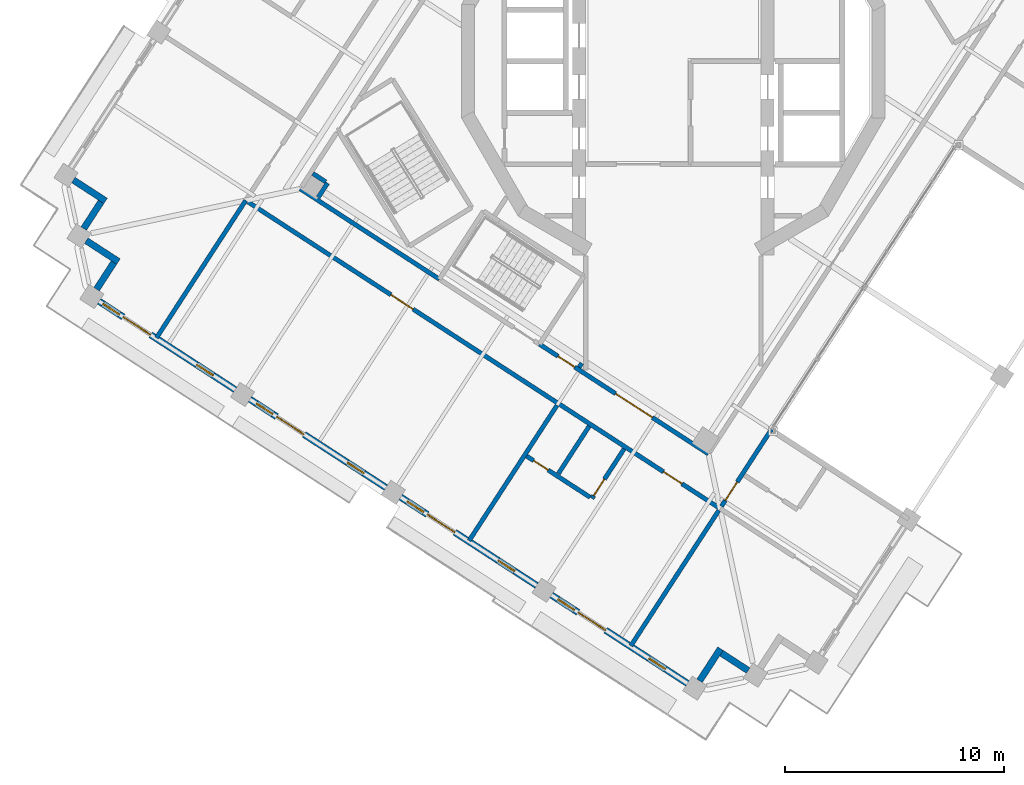
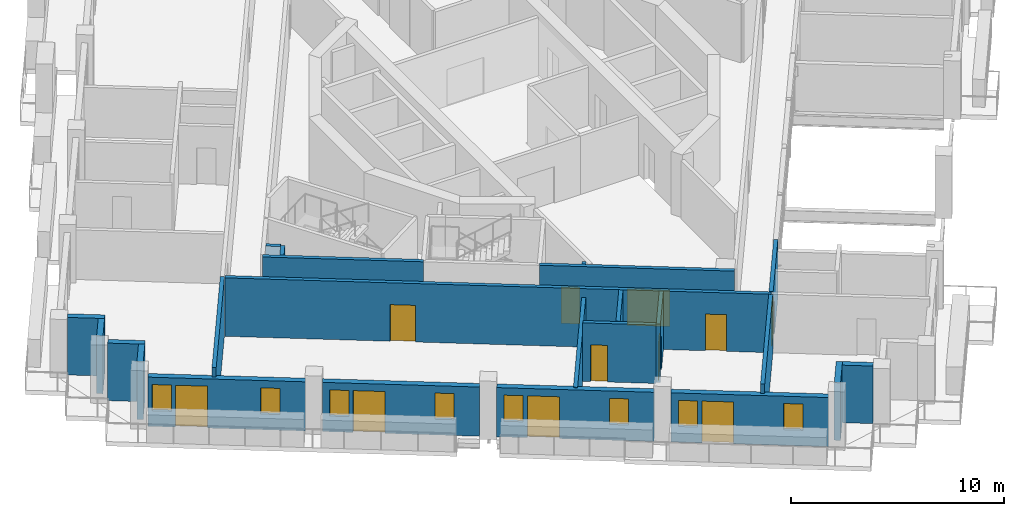
# One storey, part 5 of 17: 23 walls, 11 doors, 8 windows, 19 openings.
"""IFC4 building model written with IfcOpenShell, lengths in metres."""

from ifc_helpers import new_model, si_unit, direction, frame, frame_2d, origin, place, context, subcontext, project, spatial, rectangle, extrude, material, layer, layer_set, type_object, element, fill, save


model = new_model("IFC4")

# Units and contexts
model_context = context("Model", 3, precision=1e-05, world=origin(), true_north=direction((0.0, 1.0)))
body_context = subcontext(model_context, "Body", "Model", "MODEL_VIEW")
ifc_project = project(units=[si_unit("LENGTHUNIT", "METRE"), si_unit("AREAUNIT", "SQUARE_METRE"), si_unit("VOLUMEUNIT", "CUBIC_METRE"), si_unit("PLANEANGLEUNIT", "RADIAN"), si_unit("MASSUNIT", "GRAM", prefix="KILO")], contexts=[model_context])

# Site, building, storey
site_placement = place(None, origin())
site = spatial("IfcSite", under=ifc_project, at=site_placement, CompositionType="ELEMENT")
building_placement = place(site_placement, origin())
building = spatial("IfcBuilding", under=site, at=building_placement, Name="Cantera Rosa Tower", CompositionType="ELEMENT")
storey_placement = place(building_placement, frame((0.0, 0.0, 257.699951171875)))
storey = spatial("IfcBuildingStorey", under=building, at=storey_placement, Name="L57", CompositionType="ELEMENT", Elevation=257.699951171875)

# Wall, openings, doors
ifc_material_1 = material(Name="Gypsum board partition")
ifc_layer_1 = layer(ifc_material_1, 0.199951171875)
ifc_layer_set_1 = layer_set([ifc_layer_1], Name="CORRIDOR WALL 200 H3350")
wall_type_1 = type_object("IfcWallType", Name="CORRIDOR WALL 200 H3350", PredefinedType="PARTITIONING", material=ifc_layer_set_1)
wall_1_placement = place(storey_placement, frame((-19.4052734375, -6.416259765625, 0.0), z_axis=(0.0, 0.0, 1.0), x_axis=(0.83867117695, -0.544638097229, 0.0)))
wall_1 = element("IfcWall", 1, at=wall_1_placement, inside=storey, type_object=wall_type_1, Name="CORRIDOR WALL L57-002", PredefinedType="PARTITIONING", context=body_context, shape_type="SweptSolid", body=[
    extrude(rectangle(XDim=25.679931640625, YDim=0.199951171875, at=frame_2d((12.83984375, 0.0))), origin(), (0.0, 0.0, 1.0), 3.35009765625),
])
opening_1_placement = place(wall_1_placement, frame((7.780029296875, 0.0, 0.0)))
opening_1 = element("IfcOpeningElement", 2, at=opening_1_placement, cuts=wall_1, Name="Opening L57-037", PredefinedType="OPENING", context=body_context, shape_type="SweptSolid", body=[
    extrude(rectangle(XDim=1.199951171875, YDim=2.10009765625, at=frame_2d((0.60009765625, 1.050048828125))), frame((0.0, 0.10986328125, 0.0), z_axis=(0.0, -1.0, 0.0), x_axis=(1.0, 0.0, 0.0)), (0.0, 0.0, 1.0), 0.219970703125),
])
opening_2_placement = place(wall_1_placement, frame((22.60498046875, 0.0, 0.0)))
opening_2 = element("IfcOpeningElement", 3, at=opening_2_placement, cuts=wall_1, Name="Opening L57-038", PredefinedType="OPENING", context=body_context, shape_type="SweptSolid", body=[
    extrude(rectangle(XDim=1.0, YDim=2.10009765625, at=frame_2d((0.5, 1.050048828125))), frame((0.0, 0.10986328125, 0.0), z_axis=(0.0, -1.0, 0.0), x_axis=(1.0, 0.0, 0.0)), (0.0, 0.0, 1.0), 0.219970703125),
])
ifc_material_2 = material(Name="Timber door leaf", Category="wood")
door_type_1 = type_object("IfcDoorType", Name="ENTRANCE DOOR 1000x2100", OperationType="NOTDEFINED", PredefinedType="DOOR", material=ifc_material_2)
door_1_placement = place(opening_2_placement, origin())
door_1 = element("IfcDoor", 4, at=door_1_placement, inside=storey, type_object=door_type_1, Name="DOOR L57-038", OperationType="NOTDEFINED", OverallHeight=2.10009765625, OverallWidth=1.0, PredefinedType="DOOR", context=body_context, shape_type="SweptSolid", body=[
    extrude(rectangle(XDim=1.0, YDim=2.10009765625, at=frame_2d((0.5, 1.050048828125))), frame((0.0, 0.02490234375, 0.0), z_axis=(0.0, -1.0, 0.0), x_axis=(1.0, 0.0, 0.0)), (0.0, 0.0, 1.0), 0.050048828125),
])
fill(opening_2, door_1)
ifc_material_3 = material(Name="Timber door leaf", Category="wood")
door_type_2 = type_object("IfcDoorType", Name="ROOM DOOR 1200x2100", OperationType="NOTDEFINED", PredefinedType="DOOR", material=ifc_material_3)
door_2_placement = place(opening_1_placement, origin())
door_2 = element("IfcDoor", 5, at=door_2_placement, inside=storey, type_object=door_type_2, Name="DOOR L57-037", OperationType="NOTDEFINED", OverallHeight=2.10009765625, OverallWidth=1.199951171875, PredefinedType="DOOR", context=body_context, shape_type="SweptSolid", body=[
    extrude(rectangle(XDim=1.199951171875, YDim=2.10009765625, at=frame_2d((0.60009765625, 1.050048828125))), frame((0.0, 0.02490234375, 0.0), z_axis=(0.0, -1.0, 0.0), x_axis=(1.0, 0.0, 0.0)), (0.0, 0.0, 1.0), 0.050048828125),
])
fill(opening_1, door_2)

# Wall
wall_2_placement = place(storey_placement, frame((-17.015869140625, -5.82177734375, 0.0), z_axis=(0.0, 0.0, 1.0), x_axis=(0.838672854678, -0.544635513739, 0.0)))
element("IfcWall", 6, at=wall_2_placement, inside=storey, type_object=wall_type_1, Name="CORRIDOR WALL L57-005", PredefinedType="PARTITIONING", context=body_context, shape_type="SweptSolid", body=[
    extrude(rectangle(XDim=7.56494140625, YDim=0.199951171875, at=frame_2d((3.782470703125, 0.0))), origin(), (0.0, 0.0, 1.0), 3.35009765625),
])

# Wall, openings, doors
wall_3_placement = place(storey_placement, frame((-6.1005859375, -12.91015625, 0.0), z_axis=(0.0, 0.0, 1.0), x_axis=(0.838671883824, -0.544637008734, 0.0)))
wall_3 = element("IfcWall", 7, at=wall_3_placement, inside=storey, type_object=wall_type_1, Name="CORRIDOR WALL L57-031", PredefinedType="PARTITIONING", context=body_context, shape_type="SweptSolid", body=[
    extrude(rectangle(XDim=9.184814453125, YDim=0.199951171875, at=frame_2d((4.59228515625, 0.0))), origin(), (0.0, 0.0, 1.0), 3.35009765625),
])
opening_3_placement = place(wall_3_placement, frame((1.009521484375, 0.0, 0.0)))
opening_3 = element("IfcOpeningElement", 8, at=opening_3_placement, cuts=wall_3, Name="Opening L57-005", PredefinedType="OPENING", context=body_context, shape_type="SweptSolid", body=[
    extrude(rectangle(XDim=0.89990234375, YDim=2.10009765625, at=frame_2d((0.449951171875, 1.050048828125))), frame((0.0, 0.10986328125, 0.0), z_axis=(0.0, -1.0, 0.0), x_axis=(1.0, 0.0, 0.0)), (0.0, 0.0, 1.0), 0.219970703125),
])
opening_4_placement = place(wall_3_placement, frame((4.135009765625, 0.0, 0.0)))
opening_4 = element("IfcOpeningElement", 9, at=opening_4_placement, cuts=wall_3, Name="Opening L57-010", PredefinedType="OPENING", context=body_context, shape_type="SweptSolid", body=[
    extrude(rectangle(XDim=2.0, YDim=2.10009765625, at=frame_2d((1.0, 1.050048828125))), frame((0.0, 0.10986328125, 0.0), z_axis=(0.0, -1.0, 0.0), x_axis=(1.0, 0.0, 0.0)), (0.0, 0.0, 1.0), 0.219970703125),
])
ifc_material_4 = material(Name="Steel S355J2 (EN 10025-2)", Category="steel")
door_type_3 = type_object("IfcDoorType", Name="LOBBY SCREEN DOOR 2000x2100", OperationType="NOTDEFINED", PredefinedType="DOOR", material=ifc_material_4)
door_3_placement = place(opening_4_placement, origin())
door_3 = element("IfcDoor", 10, at=door_3_placement, inside=storey, type_object=door_type_3, Name="DOOR L57-010", OperationType="NOTDEFINED", OverallHeight=2.10009765625, OverallWidth=2.0, PredefinedType="DOOR", context=body_context, shape_type="SweptSolid", body=[
    extrude(rectangle(XDim=2.0, YDim=2.10009765625, at=frame_2d((1.0, 1.050048828125))), frame((0.0, 0.02490234375, 0.0), z_axis=(0.0, -1.0, 0.0), x_axis=(1.0, 0.0, 0.0)), (0.0, 0.0, 1.0), 0.050048828125),
])
fill(opening_4, door_3)
ifc_material_5 = material(Name="Timber door leaf", Category="wood")
door_type_4 = type_object("IfcDoorType", Name="SERVICE DOOR 900x2100", OperationType="NOTDEFINED", PredefinedType="DOOR", material=ifc_material_5)
door_4_placement = place(opening_3_placement, origin())
door_4 = element("IfcDoor", 11, at=door_4_placement, inside=storey, type_object=door_type_4, Name="DOOR L57-005", OperationType="NOTDEFINED", OverallHeight=2.10009765625, OverallWidth=0.89990234375, PredefinedType="DOOR", context=body_context, shape_type="SweptSolid", body=[
    extrude(rectangle(XDim=0.89990234375, YDim=2.10009765625, at=frame_2d((0.449951171875, 1.050048828125))), frame((0.0, 0.02490234375, 0.0), z_axis=(0.0, -1.0, 0.0), x_axis=(1.0, 0.0, 0.0)), (0.0, 0.0, 1.0), 0.050048828125),
])
fill(opening_3, door_4)

# Wall, opening, door
wall_4_placement = place(storey_placement, frame((2.197265625, -20.302001953125, 0.0), z_axis=(0.0, 0.0, 1.0), x_axis=(0.544627823196, 0.83867784888, 0.0)))
wall_4 = element("IfcWall", 12, at=wall_4_placement, inside=storey, type_object=wall_type_1, Name="CORRIDOR WALL L57-059", PredefinedType="PARTITIONING", context=body_context, shape_type="SweptSolid", body=[
    extrude(rectangle(XDim=4.284912109375, YDim=0.199951171875, at=frame_2d((2.142578125, 0.0))), origin(), (0.0, 0.0, 1.0), 3.35009765625),
])
opening_5_placement = place(wall_4_placement, frame((0.320068359375, 0.0, 0.0)))
opening_5 = element("IfcOpeningElement", 13, at=opening_5_placement, cuts=wall_4, Name="Opening L57-043", PredefinedType="OPENING", context=body_context, shape_type="SweptSolid", body=[
    extrude(rectangle(XDim=1.0, YDim=2.10009765625, at=frame_2d((0.5, 1.050048828125))), frame((0.0, 0.10986328125, 0.0), z_axis=(0.0, -1.0, 0.0), x_axis=(1.0, 0.0, 0.0)), (0.0, 0.0, 1.0), 0.219970703125),
])
door_5_placement = place(opening_5_placement, origin())
door_5 = element("IfcDoor", 14, at=door_5_placement, inside=storey, type_object=door_type_1, Name="DOOR L57-043", OperationType="NOTDEFINED", OverallHeight=2.10009765625, OverallWidth=1.0, PredefinedType="DOOR", context=body_context, shape_type="SweptSolid", body=[
    extrude(rectangle(XDim=1.0, YDim=2.10009765625, at=frame_2d((0.5, 1.050048828125))), frame((0.0, 0.02490234375, 0.0), z_axis=(0.0, -1.0, 0.0), x_axis=(1.0, 0.0, 0.0)), (0.0, 0.0, 1.0), 0.050048828125),
])
fill(opening_5, door_5)

# Walls
ifc_material_6 = material(Name="Hollow clay masonry with cantera stone cladding", Category="masonry")
ifc_layer_2 = layer(ifc_material_6, 0.300048828125)
ifc_layer_set_2 = layer_set([ifc_layer_2], Name="EW-LOGGIA 300")
wall_type_2 = type_object("IfcWallType", Name="EW-LOGGIA 300", PredefinedType="SOLIDWALL", material=ifc_layer_set_2)
wall_5_placement = place(storey_placement, frame((-27.36669921875, -5.41943359375, 0.0), z_axis=(0.0, 0.0, 1.0), x_axis=(0.838685761837, -0.54461563776, 0.0)))
element("IfcWall", 15, at=wall_5_placement, inside=storey, type_object=wall_type_2, Name="EN-L57-W12a", PredefinedType="SOLIDWALL", context=body_context, shape_type="SweptSolid", body=[
    extrude(rectangle(XDim=1.75, YDim=0.300048828125, at=frame_2d((0.875, 0.0))), origin(), (0.0, 0.0, 1.0), 3.300048828125),
])
wall_6_placement = place(storey_placement, frame((-26.1064453125, -6.41650390625, 0.0), z_axis=(0.0, 0.0, 1.0), x_axis=(-0.54467465438, -0.838647435384, 0.0)))
element("IfcWall", 16, at=wall_6_placement, inside=storey, type_object=wall_type_2, Name="EN-L57-W12b", PredefinedType="SOLIDWALL", context=body_context, shape_type="SweptSolid", body=[
    extrude(rectangle(XDim=1.449951171875, YDim=0.300048828125, at=frame_2d((0.72509765625, 0.0))), origin(), (0.0, 0.0, 1.0), 3.300048828125),
])
wall_7_placement = place(storey_placement, frame((-26.778564453125, -8.18603515625, 0.0), z_axis=(0.0, 0.0, 1.0), x_axis=(0.838685761837, -0.54461563776, 0.0)))
element("IfcWall", 17, at=wall_7_placement, inside=storey, type_object=wall_type_2, Name="EN-L57-W13a", PredefinedType="SOLIDWALL", context=body_context, shape_type="SweptSolid", body=[
    extrude(rectangle(XDim=1.75, YDim=0.300048828125, at=frame_2d((0.875, 0.0))), origin(), (0.0, 0.0, 1.0), 3.300048828125),
])
wall_8_placement = place(storey_placement, frame((-25.518310546875, -9.18310546875, 0.0), z_axis=(0.0, 0.0, 1.0), x_axis=(-0.54467465438, -0.838647435384, 0.0)))
element("IfcWall", 18, at=wall_8_placement, inside=storey, type_object=wall_type_2, Name="EN-L57-W13b", PredefinedType="SOLIDWALL", context=body_context, shape_type="SweptSolid", body=[
    extrude(rectangle(XDim=1.449951171875, YDim=0.300048828125, at=frame_2d((0.72509765625, 0.0))), origin(), (0.0, 0.0, 1.0), 3.300048828125),
])
wall_9_placement = place(storey_placement, frame((1.2001953125, -28.263427734375, 0.0), z_axis=(0.0, 0.0, 1.0), x_axis=(0.54461563776, 0.838685761837, 0.0)))
element("IfcWall", 19, at=wall_9_placement, inside=storey, type_object=wall_type_2, Name="EN-L57-W18a", PredefinedType="SOLIDWALL", context=body_context, shape_type="SweptSolid", body=[
    extrude(rectangle(XDim=1.75, YDim=0.300048828125, at=frame_2d((0.875, 0.0))), origin(), (0.0, 0.0, 1.0), 3.300048828125),
])
wall_10_placement = place(storey_placement, frame((2.197509765625, -27.003173828125, 0.0), z_axis=(0.0, 0.0, 1.0), x_axis=(0.838647435384, -0.54467465438, 0.0)))
element("IfcWall", 20, at=wall_10_placement, inside=storey, type_object=wall_type_2, Name="EN-L57-W18b", PredefinedType="SOLIDWALL", context=body_context, shape_type="SweptSolid", body=[
    extrude(rectangle(XDim=1.449951171875, YDim=0.300048828125, at=frame_2d((0.72509765625, 0.0))), origin(), (0.0, 0.0, 1.0), 3.300048828125),
])

# Wall, openings, windows, door
ifc_material_7 = material(Name="Hollow clay masonry with cantera stone cladding", Category="masonry")
ifc_layer_3 = layer(ifc_material_7, 0.300048828125)
ifc_layer_set_3 = layer_set([ifc_layer_3], Name="EW-LOGGIA 300 H2820")
wall_type_3 = type_object("IfcWallType", Name="EW-LOGGIA 300 H2820", PredefinedType="SOLIDWALL", material=ifc_layer_set_3)
wall_11_placement = place(storey_placement, frame((-26.1904296875, -10.95263671875, 0.0), z_axis=(0.0, 0.0, 1.0), x_axis=(0.838669679097, -0.544640403719, 0.0)))
wall_11 = element("IfcWall", 21, at=wall_11_placement, inside=storey, type_object=wall_type_3, Name="EN-L57-W14", PredefinedType="SOLIDWALL", context=body_context, shape_type="SweptSolid", body=[
    extrude(rectangle(XDim=7.39990234375, YDim=0.300048828125, at=frame_2d((3.699951171875, 0.0))), origin(), (0.0, 0.0, 1.0), 2.820068359375),
])
opening_6_placement = place(wall_11_placement, frame((0.199951171875, 0.0, 0.89990234375)))
opening_6 = element("IfcOpeningElement", 22, at=opening_6_placement, cuts=wall_11, Name="Opening L57-W28", PredefinedType="OPENING", context=body_context, shape_type="SweptSolid", body=[
    extrude(rectangle(XDim=0.89990234375, YDim=1.5, at=frame_2d((0.449951171875, 0.75))), frame((0.0, 0.159912109375, 0.0), z_axis=(0.0, -1.0, 0.0), x_axis=(1.0, 0.0, 0.0)), (0.0, 0.0, 1.0), 0.320068359375),
])
opening_7_placement = place(wall_11_placement, frame((1.300048828125, 0.0, 0.0)))
opening_7 = element("IfcOpeningElement", 23, at=opening_7_placement, cuts=wall_11, Name="Opening L57-TD29", PredefinedType="OPENING", context=body_context, shape_type="SweptSolid", body=[
    extrude(rectangle(XDim=1.5, YDim=2.39990234375, at=frame_2d((0.75, 1.199951171875))), frame((0.0, 0.159912109375, 0.0), z_axis=(0.0, -1.0, 0.0), x_axis=(1.0, 0.0, 0.0)), (0.0, 0.0, 1.0), 0.320068359375),
])
opening_8_placement = place(wall_11_placement, frame((5.300048828125, 0.0, 0.89990234375)))
opening_8 = element("IfcOpeningElement", 24, at=opening_8_placement, cuts=wall_11, Name="Opening L57-W30", PredefinedType="OPENING", context=body_context, shape_type="SweptSolid", body=[
    extrude(rectangle(XDim=0.89990234375, YDim=1.5, at=frame_2d((0.449951171875, 0.75))), frame((0.0, 0.159912109375, 0.0), z_axis=(0.0, -1.0, 0.0), x_axis=(1.0, 0.0, 0.0)), (0.0, 0.0, 1.0), 0.320068359375),
])
ifc_material_8 = material(Name="Aluminium frame with clear glass", Category="aluminium")
window_type = type_object("IfcWindowType", Name="Residential window 900x1500", PartitioningType="SINGLE_PANEL", PredefinedType="WINDOW", material=ifc_material_8)
window_1_placement = place(opening_6_placement, origin())
window_1 = element("IfcWindow", 25, at=window_1_placement, inside=storey, type_object=window_type, Name="WINDOW L57-W28", OverallHeight=1.5, OverallWidth=0.89990234375, PartitioningType="SINGLE_PANEL", PredefinedType="WINDOW", context=body_context, shape_type="SweptSolid", body=[
    extrude(rectangle(XDim=0.89990234375, YDim=1.5, at=frame_2d((0.449951171875, 0.75))), frame((0.0, 0.030029296875, 0.0), z_axis=(0.0, -1.0, 0.0), x_axis=(1.0, 0.0, 0.0)), (0.0, 0.0, 1.0), 0.06005859375),
])
fill(opening_6, window_1)
window_2_placement = place(opening_8_placement, origin())
window_2 = element("IfcWindow", 26, at=window_2_placement, inside=storey, type_object=window_type, Name="WINDOW L57-W30", OverallHeight=1.5, OverallWidth=0.89990234375, PartitioningType="SINGLE_PANEL", PredefinedType="WINDOW", context=body_context, shape_type="SweptSolid", body=[
    extrude(rectangle(XDim=0.89990234375, YDim=1.5, at=frame_2d((0.449951171875, 0.75))), frame((0.0, 0.030029296875, 0.0), z_axis=(0.0, -1.0, 0.0), x_axis=(1.0, 0.0, 0.0)), (0.0, 0.0, 1.0), 0.06005859375),
])
fill(opening_8, window_2)
ifc_material_9 = material(Name="Aluminium frame with clear glass", Category="aluminium")
door_type_5 = type_object("IfcDoorType", Name="TD-R 1500x2400", OperationType="NOTDEFINED", PredefinedType="DOOR", material=ifc_material_9)
door_6_placement = place(opening_7_placement, origin())
door_6 = element("IfcDoor", 27, at=door_6_placement, inside=storey, type_object=door_type_5, Name="LOGGIA DOOR L57-TD29", OperationType="SLIDING_TO_LEFT", OverallHeight=2.39990234375, OverallWidth=1.5, PredefinedType="DOOR", context=body_context, shape_type="SweptSolid", body=[
    extrude(rectangle(XDim=1.5, YDim=2.39990234375, at=frame_2d((0.75, 1.199951171875))), frame((0.0, 0.02490234375, 0.0), z_axis=(0.0, -1.0, 0.0), x_axis=(1.0, 0.0, 0.0)), (0.0, 0.0, 1.0), 0.050048828125),
])
fill(opening_7, door_6)

wall_12_placement = place(storey_placement, frame((-19.3134765625, -15.418701171875, 0.0), z_axis=(0.0, 0.0, 1.0), x_axis=(0.838679465365, -0.544625333946, 0.0)))
wall_12 = element("IfcWall", 28, at=wall_12_placement, inside=storey, type_object=wall_type_3, Name="EN-L57-W15", PredefinedType="SOLIDWALL", context=body_context, shape_type="SweptSolid", body=[
    extrude(rectangle(XDim=7.400146484375, YDim=0.300048828125, at=frame_2d((3.7001953125, 0.0))), origin(), (0.0, 0.0, 1.0), 2.820068359375),
])
opening_9_placement = place(wall_12_placement, frame((0.35009765625, 0.0, 0.89990234375)))
opening_9 = element("IfcOpeningElement", 29, at=opening_9_placement, cuts=wall_12, Name="Opening L57-W31", PredefinedType="OPENING", context=body_context, shape_type="SweptSolid", body=[
    extrude(rectangle(XDim=0.89990234375, YDim=1.5, at=frame_2d((0.449951171875, 0.75))), frame((0.0, 0.159912109375, 0.0), z_axis=(0.0, -1.0, 0.0), x_axis=(1.0, 0.0, 0.0)), (0.0, 0.0, 1.0), 0.320068359375),
])
opening_10_placement = place(wall_12_placement, frame((1.449951171875, 0.0, 0.0)))
opening_10 = element("IfcOpeningElement", 30, at=opening_10_placement, cuts=wall_12, Name="Opening L57-TD32", PredefinedType="OPENING", context=body_context, shape_type="SweptSolid", body=[
    extrude(rectangle(XDim=1.5, YDim=2.39990234375, at=frame_2d((0.75, 1.199951171875))), frame((0.0, 0.159912109375, 0.0), z_axis=(0.0, -1.0, 0.0), x_axis=(1.0, 0.0, 0.0)), (0.0, 0.0, 1.0), 0.320068359375),
])
opening_11_placement = place(wall_12_placement, frame((5.300048828125, 0.0, 0.89990234375)))
opening_11 = element("IfcOpeningElement", 31, at=opening_11_placement, cuts=wall_12, Name="Opening L57-W33", PredefinedType="OPENING", context=body_context, shape_type="SweptSolid", body=[
    extrude(rectangle(XDim=0.89990234375, YDim=1.5, at=frame_2d((0.449951171875, 0.75))), frame((0.0, 0.159912109375, 0.0), z_axis=(0.0, -1.0, 0.0), x_axis=(1.0, 0.0, 0.0)), (0.0, 0.0, 1.0), 0.320068359375),
])
window_3_placement = place(opening_9_placement, origin())
window_3 = element("IfcWindow", 32, at=window_3_placement, inside=storey, type_object=window_type, Name="WINDOW L57-W31", OverallHeight=1.5, OverallWidth=0.89990234375, PartitioningType="SINGLE_PANEL", PredefinedType="WINDOW", context=body_context, shape_type="SweptSolid", body=[
    extrude(rectangle(XDim=0.89990234375, YDim=1.5, at=frame_2d((0.449951171875, 0.75))), frame((0.0, 0.030029296875, 0.0), z_axis=(0.0, -1.0, 0.0), x_axis=(1.0, 0.0, 0.0)), (0.0, 0.0, 1.0), 0.06005859375),
])
fill(opening_9, window_3)
window_4_placement = place(opening_11_placement, origin())
window_4 = element("IfcWindow", 33, at=window_4_placement, inside=storey, type_object=window_type, Name="WINDOW L57-W33", OverallHeight=1.5, OverallWidth=0.89990234375, PartitioningType="SINGLE_PANEL", PredefinedType="WINDOW", context=body_context, shape_type="SweptSolid", body=[
    extrude(rectangle(XDim=0.89990234375, YDim=1.5, at=frame_2d((0.449951171875, 0.75))), frame((0.0, 0.030029296875, 0.0), z_axis=(0.0, -1.0, 0.0), x_axis=(1.0, 0.0, 0.0)), (0.0, 0.0, 1.0), 0.06005859375),
])
fill(opening_11, window_4)
door_7_placement = place(opening_10_placement, origin())
door_7 = element("IfcDoor", 34, at=door_7_placement, inside=storey, type_object=door_type_5, Name="LOGGIA DOOR L57-TD32", OperationType="SLIDING_TO_LEFT", OverallHeight=2.39990234375, OverallWidth=1.5, PredefinedType="DOOR", context=body_context, shape_type="SweptSolid", body=[
    extrude(rectangle(XDim=1.5, YDim=2.39990234375, at=frame_2d((0.75, 1.199951171875))), frame((0.0, 0.02490234375, 0.0), z_axis=(0.0, -1.0, 0.0), x_axis=(1.0, 0.0, 0.0)), (0.0, 0.0, 1.0), 0.050048828125),
])
fill(opening_10, door_7)

wall_13_placement = place(storey_placement, frame((-12.436279296875, -19.884765625, 0.0), z_axis=(0.0, 0.0, 1.0), x_axis=(0.838669679097, -0.544640403719, 0.0)))
wall_13 = element("IfcWall", 35, at=wall_13_placement, inside=storey, type_object=wall_type_3, Name="EN-L57-W16", PredefinedType="SOLIDWALL", context=body_context, shape_type="SweptSolid", body=[
    extrude(rectangle(XDim=7.39990234375, YDim=0.300048828125, at=frame_2d((3.699951171875, 0.0))), origin(), (0.0, 0.0, 1.0), 2.820068359375),
])
opening_12_placement = place(wall_13_placement, frame((0.35009765625, 0.0, 0.89990234375)))
opening_12 = element("IfcOpeningElement", 36, at=opening_12_placement, cuts=wall_13, Name="Opening L57-W34", PredefinedType="OPENING", context=body_context, shape_type="SweptSolid", body=[
    extrude(rectangle(XDim=0.89990234375, YDim=1.5, at=frame_2d((0.449951171875, 0.75))), frame((0.0, 0.159912109375, 0.0), z_axis=(0.0, -1.0, 0.0), x_axis=(1.0, 0.0, 0.0)), (0.0, 0.0, 1.0), 0.320068359375),
])
opening_13_placement = place(wall_13_placement, frame((1.449951171875, 0.0, 0.0)))
opening_13 = element("IfcOpeningElement", 37, at=opening_13_placement, cuts=wall_13, Name="Opening L57-TD35", PredefinedType="OPENING", context=body_context, shape_type="SweptSolid", body=[
    extrude(rectangle(XDim=1.5, YDim=2.39990234375, at=frame_2d((0.75, 1.199951171875))), frame((0.0, 0.159912109375, 0.0), z_axis=(0.0, -1.0, 0.0), x_axis=(1.0, 0.0, 0.0)), (0.0, 0.0, 1.0), 0.320068359375),
])
opening_14_placement = place(wall_13_placement, frame((5.300048828125, 0.0, 0.89990234375)))
opening_14 = element("IfcOpeningElement", 38, at=opening_14_placement, cuts=wall_13, Name="Opening L57-W36", PredefinedType="OPENING", context=body_context, shape_type="SweptSolid", body=[
    extrude(rectangle(XDim=0.89990234375, YDim=1.5, at=frame_2d((0.449951171875, 0.75))), frame((0.0, 0.159912109375, 0.0), z_axis=(0.0, -1.0, 0.0), x_axis=(1.0, 0.0, 0.0)), (0.0, 0.0, 1.0), 0.320068359375),
])
window_5_placement = place(opening_12_placement, origin())
window_5 = element("IfcWindow", 39, at=window_5_placement, inside=storey, type_object=window_type, Name="WINDOW L57-W34", OverallHeight=1.5, OverallWidth=0.89990234375, PartitioningType="SINGLE_PANEL", PredefinedType="WINDOW", context=body_context, shape_type="SweptSolid", body=[
    extrude(rectangle(XDim=0.89990234375, YDim=1.5, at=frame_2d((0.449951171875, 0.75))), frame((0.0, 0.030029296875, 0.0), z_axis=(0.0, -1.0, 0.0), x_axis=(1.0, 0.0, 0.0)), (0.0, 0.0, 1.0), 0.06005859375),
])
fill(opening_12, window_5)
window_6_placement = place(opening_14_placement, origin())
window_6 = element("IfcWindow", 40, at=window_6_placement, inside=storey, type_object=window_type, Name="WINDOW L57-W36", OverallHeight=1.5, OverallWidth=0.89990234375, PartitioningType="SINGLE_PANEL", PredefinedType="WINDOW", context=body_context, shape_type="SweptSolid", body=[
    extrude(rectangle(XDim=0.89990234375, YDim=1.5, at=frame_2d((0.449951171875, 0.75))), frame((0.0, 0.030029296875, 0.0), z_axis=(0.0, -1.0, 0.0), x_axis=(1.0, 0.0, 0.0)), (0.0, 0.0, 1.0), 0.06005859375),
])
fill(opening_14, window_6)
door_8_placement = place(opening_13_placement, origin())
door_8 = element("IfcDoor", 41, at=door_8_placement, inside=storey, type_object=door_type_5, Name="LOGGIA DOOR L57-TD35", OperationType="SLIDING_TO_LEFT", OverallHeight=2.39990234375, OverallWidth=1.5, PredefinedType="DOOR", context=body_context, shape_type="SweptSolid", body=[
    extrude(rectangle(XDim=1.5, YDim=2.39990234375, at=frame_2d((0.75, 1.199951171875))), frame((0.0, 0.02490234375, 0.0), z_axis=(0.0, -1.0, 0.0), x_axis=(1.0, 0.0, 0.0)), (0.0, 0.0, 1.0), 0.050048828125),
])
fill(opening_13, door_8)

wall_14_placement = place(storey_placement, frame((-5.559326171875, -24.350830078125, 0.0), z_axis=(0.0, 0.0, 1.0), x_axis=(0.838679465365, -0.544625333946, 0.0)))
wall_14 = element("IfcWall", 42, at=wall_14_placement, inside=storey, type_object=wall_type_3, Name="EN-L57-W17", PredefinedType="SOLIDWALL", context=body_context, shape_type="SweptSolid", body=[
    extrude(rectangle(XDim=7.400146484375, YDim=0.300048828125, at=frame_2d((3.7001953125, 0.0))), origin(), (0.0, 0.0, 1.0), 2.820068359375),
])
opening_15_placement = place(wall_14_placement, frame((0.35009765625, 0.0, 0.89990234375)))
opening_15 = element("IfcOpeningElement", 43, at=opening_15_placement, cuts=wall_14, Name="Opening L57-W37", PredefinedType="OPENING", context=body_context, shape_type="SweptSolid", body=[
    extrude(rectangle(XDim=0.89990234375, YDim=1.5, at=frame_2d((0.449951171875, 0.75))), frame((0.0, 0.159912109375, 0.0), z_axis=(0.0, -1.0, 0.0), x_axis=(1.0, 0.0, 0.0)), (0.0, 0.0, 1.0), 0.320068359375),
])
opening_16_placement = place(wall_14_placement, frame((1.449951171875, 0.0, 0.0)))
opening_16 = element("IfcOpeningElement", 44, at=opening_16_placement, cuts=wall_14, Name="Opening L57-TD38", PredefinedType="OPENING", context=body_context, shape_type="SweptSolid", body=[
    extrude(rectangle(XDim=1.5, YDim=2.39990234375, at=frame_2d((0.75, 1.199951171875))), frame((0.0, 0.159912109375, 0.0), z_axis=(0.0, -1.0, 0.0), x_axis=(1.0, 0.0, 0.0)), (0.0, 0.0, 1.0), 0.320068359375),
])
opening_17_placement = place(wall_14_placement, frame((5.300048828125, 0.0, 0.89990234375)))
opening_17 = element("IfcOpeningElement", 45, at=opening_17_placement, cuts=wall_14, Name="Opening L57-W39", PredefinedType="OPENING", context=body_context, shape_type="SweptSolid", body=[
    extrude(rectangle(XDim=0.89990234375, YDim=1.5, at=frame_2d((0.449951171875, 0.75))), frame((0.0, 0.159912109375, 0.0), z_axis=(0.0, -1.0, 0.0), x_axis=(1.0, 0.0, 0.0)), (0.0, 0.0, 1.0), 0.320068359375),
])
window_7_placement = place(opening_15_placement, origin())
window_7 = element("IfcWindow", 46, at=window_7_placement, inside=storey, type_object=window_type, Name="WINDOW L57-W37", OverallHeight=1.5, OverallWidth=0.89990234375, PartitioningType="SINGLE_PANEL", PredefinedType="WINDOW", context=body_context, shape_type="SweptSolid", body=[
    extrude(rectangle(XDim=0.89990234375, YDim=1.5, at=frame_2d((0.449951171875, 0.75))), frame((0.0, 0.030029296875, 0.0), z_axis=(0.0, -1.0, 0.0), x_axis=(1.0, 0.0, 0.0)), (0.0, 0.0, 1.0), 0.06005859375),
])
fill(opening_15, window_7)
window_8_placement = place(opening_17_placement, origin())
window_8 = element("IfcWindow", 47, at=window_8_placement, inside=storey, type_object=window_type, Name="WINDOW L57-W39", OverallHeight=1.5, OverallWidth=0.89990234375, PartitioningType="SINGLE_PANEL", PredefinedType="WINDOW", context=body_context, shape_type="SweptSolid", body=[
    extrude(rectangle(XDim=0.89990234375, YDim=1.5, at=frame_2d((0.449951171875, 0.75))), frame((0.0, 0.030029296875, 0.0), z_axis=(0.0, -1.0, 0.0), x_axis=(1.0, 0.0, 0.0)), (0.0, 0.0, 1.0), 0.06005859375),
])
fill(opening_17, window_8)
door_9_placement = place(opening_16_placement, origin())
door_9 = element("IfcDoor", 48, at=door_9_placement, inside=storey, type_object=door_type_5, Name="LOGGIA DOOR L57-TD38", OperationType="SLIDING_TO_LEFT", OverallHeight=2.39990234375, OverallWidth=1.5, PredefinedType="DOOR", context=body_context, shape_type="SweptSolid", body=[
    extrude(rectangle(XDim=1.5, YDim=2.39990234375, at=frame_2d((0.75, 1.199951171875))), frame((0.0, 0.02490234375, 0.0), z_axis=(0.0, -1.0, 0.0), x_axis=(1.0, 0.0, 0.0)), (0.0, 0.0, 1.0), 0.050048828125),
])
fill(opening_16, door_9)

# Walls
ifc_material_10 = material(Name="Gypsum board partition")
ifc_layer_4 = layer(ifc_material_10, 0.199951171875)
ifc_layer_set_4 = layer_set([ifc_layer_4], Name="PARTITION 200 H3350")
wall_type_4 = type_object("IfcWallType", Name="PARTITION 200 H3350", PredefinedType="PARTITIONING", material=ifc_layer_set_4)
wall_15_placement = place(storey_placement, frame((-19.505859375, -6.35107421875, 0.0), z_axis=(0.0, 0.0, 1.0), x_axis=(-0.544643659397, -0.838667564818, 0.0)))
element("IfcWall", 49, at=wall_15_placement, inside=storey, type_object=wall_type_4, Name="PARTITION L57-001", PredefinedType="PARTITIONING", context=body_context, shape_type="SweptSolid", body=[
    extrude(rectangle(XDim=7.4697265625, YDim=0.199951171875, at=frame_2d((3.73486328125, 0.0))), origin(), (0.0, 0.0, 1.0), 3.35009765625),
])
wall_16_placement = place(storey_placement, frame((-16.19580078125, -6.211181640625, 0.0), z_axis=(0.0, 0.0, 1.0), x_axis=(0.544691230082, 0.838636669764, 0.0)))
element("IfcWall", 50, at=wall_16_placement, inside=storey, type_object=wall_type_4, Name="PARTITION L57-006", PredefinedType="PARTITIONING", context=body_context, shape_type="SweptSolid", body=[
    extrude(rectangle(XDim=0.77978515625, YDim=0.199951171875, at=frame_2d((0.389892578125, 0.0))), origin(), (0.0, 0.0, 1.0), 3.35009765625),
])
wall_17_placement = place(storey_placement, frame((-15.854736328125, -5.502685546875, 0.0), z_axis=(0.0, 0.0, 1.0), x_axis=(-0.838642734471, 0.544681892409, 0.0)))
element("IfcWall", 51, at=wall_17_placement, inside=storey, type_object=wall_type_4, Name="PARTITION L57-007", PredefinedType="PARTITIONING", context=body_context, shape_type="SweptSolid", body=[
    extrude(rectangle(XDim=0.7001953125, YDim=0.199951171875, at=frame_2d((0.35009765625, 0.0))), origin(), (0.0, 0.0, 1.0), 3.35009765625),
])
wall_18_placement = place(storey_placement, frame((-4.17431640625, -13.772216796875, 0.0), z_axis=(0.0, 0.0, 1.0), x_axis=(-0.544950419994, -0.838468269971, 0.0)))
element("IfcWall", 52, at=wall_18_placement, inside=storey, type_object=wall_type_4, Name="PARTITION L57-040", PredefinedType="PARTITIONING", context=body_context, shape_type="SweptSolid", body=[
    extrude(rectangle(XDim=0.226318359375, YDim=0.199951171875, at=frame_2d((0.11328125, 0.0))), origin(), (0.0, 0.0, 1.0), 3.35009765625),
])
wall_19_placement = place(storey_placement, frame((-3.835205078125, -16.646728515625, 0.0), z_axis=(0.0, 0.0, 1.0), x_axis=(-0.544659035015, -0.838657579454, 0.0)))
element("IfcWall", 53, at=wall_19_placement, inside=storey, type_object=wall_type_4, Name="PARTITION L57-043", PredefinedType="PARTITIONING", context=body_context, shape_type="SweptSolid", body=[
    extrude(rectangle(XDim=2.580078125, YDim=0.199951171875, at=frame_2d((1.2900390625, 0.0))), origin(), (0.0, 0.0, 1.0), 3.35009765625),
])

# Wall, opening, door
wall_20_placement = place(storey_placement, frame((-3.796142578125, -19.8916015625, 0.0), z_axis=(0.0, 0.0, 1.0), x_axis=(-0.838695740102, 0.544600271332, 0.0)))
wall_20 = element("IfcWall", 54, at=wall_20_placement, inside=storey, type_object=wall_type_4, Name="PARTITION L57-044", PredefinedType="PARTITIONING", context=body_context, shape_type="SweptSolid", body=[
    extrude(rectangle(XDim=3.449951171875, YDim=0.199951171875, at=frame_2d((1.72509765625, 0.0))), origin(), (0.0, 0.0, 1.0), 3.35009765625),
])
opening_18_placement = place(wall_20_placement, frame((2.27490234375, 0.0, 0.0)))
opening_18 = element("IfcOpeningElement", 55, at=opening_18_placement, cuts=wall_20, Name="Opening L57-039", PredefinedType="OPENING", context=body_context, shape_type="SweptSolid", body=[
    extrude(rectangle(XDim=0.800048828125, YDim=2.10009765625, at=frame_2d((0.39990234375, 1.050048828125))), frame((0.0, 0.10986328125, 0.0), z_axis=(0.0, -1.0, 0.0), x_axis=(1.0, 0.0, 0.0)), (0.0, 0.0, 1.0), 0.219970703125),
])
ifc_material_11 = material(Name="Timber door leaf", Category="wood")
door_type_6 = type_object("IfcDoorType", Name="BATHROOM DOOR 800x2100", OperationType="NOTDEFINED", PredefinedType="DOOR", material=ifc_material_11)
door_10_placement = place(opening_18_placement, origin())
door_10 = element("IfcDoor", 56, at=door_10_placement, inside=storey, type_object=door_type_6, Name="DOOR L57-039", OperationType="NOTDEFINED", OverallHeight=2.10009765625, OverallWidth=0.800048828125, PredefinedType="DOOR", context=body_context, shape_type="SweptSolid", body=[
    extrude(rectangle(XDim=0.800048828125, YDim=2.10009765625, at=frame_2d((0.39990234375, 1.050048828125))), frame((0.0, 0.02490234375, 0.0), z_axis=(0.0, -1.0, 0.0), x_axis=(1.0, 0.0, 0.0)), (0.0, 0.0, 1.0), 0.050048828125),
])
fill(opening_18, door_10)

wall_21_placement = place(storey_placement, frame((-2.24169921875, -17.681640625, 0.0), z_axis=(0.0, 0.0, 1.0), x_axis=(-0.544686387605, -0.838639814913, 0.0)))
wall_21 = element("IfcWall", 57, at=wall_21_placement, inside=storey, type_object=wall_type_4, Name="PARTITION L57-045", PredefinedType="PARTITIONING", context=body_context, shape_type="SweptSolid", body=[
    extrude(rectangle(XDim=2.7001953125, YDim=0.199951171875, at=frame_2d((1.35009765625, 0.0))), origin(), (0.0, 0.0, 1.0), 3.35009765625),
])
opening_19_placement = place(wall_21_placement, frame((1.64990234375, 0.0, 0.0)))
opening_19 = element("IfcOpeningElement", 58, at=opening_19_placement, cuts=wall_21, Name="Opening L57-040", PredefinedType="OPENING", context=body_context, shape_type="SweptSolid", body=[
    extrude(rectangle(XDim=0.89990234375, YDim=2.10009765625, at=frame_2d((0.449951171875, 1.050048828125))), frame((0.0, 0.10986328125, 0.0), z_axis=(0.0, -1.0, 0.0), x_axis=(1.0, 0.0, 0.0)), (0.0, 0.0, 1.0), 0.219970703125),
])
ifc_material_12 = material(Name="Timber door leaf", Category="wood")
door_type_7 = type_object("IfcDoorType", Name="ROOM DOOR 900x2100", OperationType="NOTDEFINED", PredefinedType="DOOR", material=ifc_material_12)
door_11_placement = place(opening_19_placement, origin())
door_11 = element("IfcDoor", 59, at=door_11_placement, inside=storey, type_object=door_type_7, Name="DOOR L57-040", OperationType="NOTDEFINED", OverallHeight=2.10009765625, OverallWidth=0.89990234375, PredefinedType="DOOR", context=body_context, shape_type="SweptSolid", body=[
    extrude(rectangle(XDim=0.89990234375, YDim=2.10009765625, at=frame_2d((0.449951171875, 1.050048828125))), frame((0.0, 0.02490234375, 0.0), z_axis=(0.0, -1.0, 0.0), x_axis=(1.0, 0.0, 0.0)), (0.0, 0.0, 1.0), 0.050048828125),
])
fill(opening_19, door_11)

# Walls
ifc_material_13 = material(Name="Gypsum board partition")
ifc_layer_5 = layer(ifc_material_13, 0.199951171875)
ifc_layer_set_5 = layer_set([ifc_layer_5], Name="PARTY WALL 200 H2850")
wall_type_5 = type_object("IfcWallType", Name="PARTY WALL 200 H2850", PredefinedType="PARTITIONING", material=ifc_layer_set_5)
wall_22_placement = place(storey_placement, frame((-5.302978515625, -15.693603515625, 0.0), z_axis=(0.0, 0.0, 1.0), x_axis=(-0.544622691464, -0.838681181345, 0.0)))
element("IfcWall", 60, at=wall_22_placement, inside=storey, type_object=wall_type_5, Name="PARTY WALL L57-034", PredefinedType="PARTITIONING", context=body_context, shape_type="SweptSolid", body=[
    extrude(rectangle(XDim=7.3701171875, YDim=0.199951171875, at=frame_2d((3.68505859375, 0.0))), origin(), (0.0, 0.0, 1.0), 2.85009765625),
])
ifc_material_14 = material(Name="Gypsum board partition")
ifc_layer_6 = layer(ifc_material_14, 0.199951171875)
ifc_layer_set_6 = layer_set([ifc_layer_6], Name="PARTY WALL 200 H3350")
wall_type_6 = type_object("IfcWallType", Name="PARTY WALL 200 H3350", PredefinedType="PARTITIONING", material=ifc_layer_set_6)
wall_23_placement = place(storey_placement, frame((-1.9365234375, -26.66748046875, 0.0), z_axis=(0.0, 0.0, 1.0), x_axis=(0.544637822535, 0.838671355338, 0.0)))
element("IfcWall", 61, at=wall_23_placement, inside=storey, type_object=wall_type_6, Name="PARTY WALL L57-049", PredefinedType="PARTITIONING", context=body_context, shape_type="SweptSolid", body=[
    extrude(rectangle(XDim=7.369873046875, YDim=0.199951171875, at=frame_2d((3.68505859375, 0.0))), origin(), (0.0, 0.0, 1.0), 3.35009765625),
])

save(model, "model.ifc")
